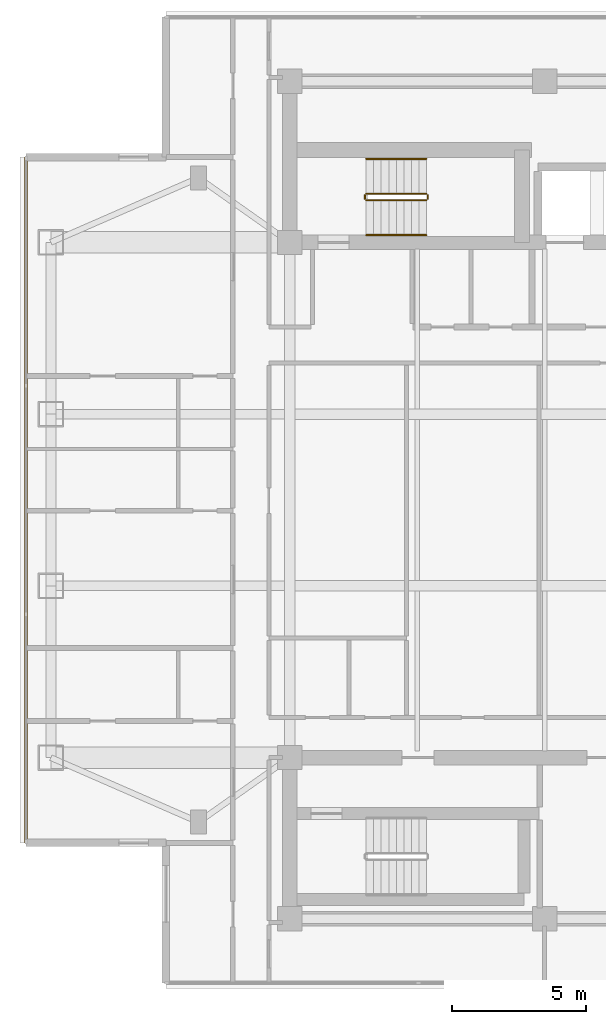
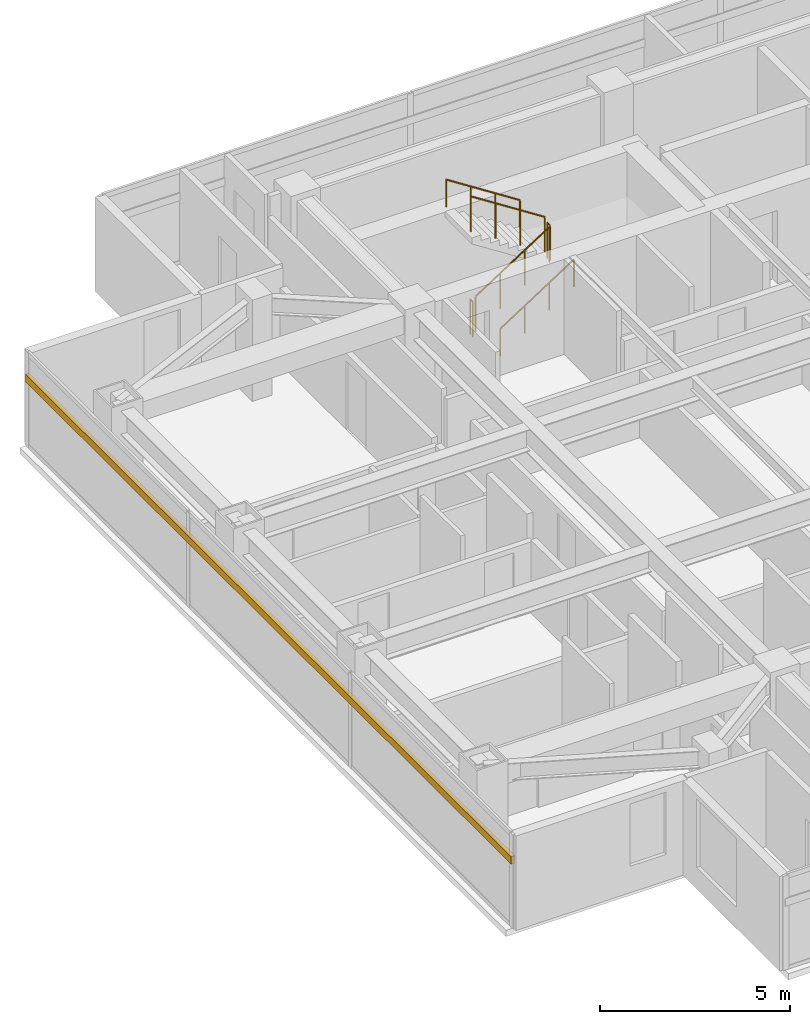
# One storey, part 20 of 23: 6 railings, 1 shading device.
"""IFC4 building model written with IfcOpenShell, lengths in metres."""

from ifc_helpers import new_model, si_unit, direction, frame, origin, origin_2d, place, context, subcontext, project, spatial, rectangle, circle, extrude, material, material_profile, profile_set, type_object, element, save


model = new_model("IFC4")

# Units and contexts
model_context = context("Model", 3, precision=1e-05, world=origin(), true_north=direction((0.0, 1.0)))
body_context = subcontext(model_context, "Body", "Model", "MODEL_VIEW")
ifc_project = project(units=[si_unit("LENGTHUNIT", "METRE"), si_unit("AREAUNIT", "SQUARE_METRE"), si_unit("VOLUMEUNIT", "CUBIC_METRE"), si_unit("PLANEANGLEUNIT", "RADIAN"), si_unit("MASSUNIT", "GRAM", prefix="KILO")], contexts=[model_context])

# Site, building, storey
site_placement = place(None, origin())
site = spatial("IfcSite", under=ifc_project, at=site_placement, CompositionType="ELEMENT")
building_placement = place(site_placement, origin())
building = spatial("IfcBuilding", under=site, at=building_placement, Name="Mirazonda Arch Towers", CompositionType="ELEMENT")
storey_placement = place(building_placement, frame((0.0, 0.0, 183.64990234375)))
storey = spatial("IfcBuildingStorey", under=building, at=storey_placement, Name="L52", CompositionType="ELEMENT", Elevation=183.64990234375)

# Shading device
ifc_material_1 = material(Name="Kiln-Fired Architectural Terracotta", Category="masonry")
ifc_material_profile = material_profile(ifc_material_1, rectangle(XDim=0.1201171875, YDim=0.239990234375, at=origin_2d()), Name="TERRA-BAG-120x240")
ifc_profile_set = profile_set([ifc_material_profile], Name="Kiln-Fired Architectural Terracotta")
shading_device_type = type_object("IfcShadingDeviceType", Name="BAGUETTE-1", PredefinedType="USERDEFINED", material=ifc_profile_set)
shading_device_placement = place(storey_placement, frame((1.169921875, 40.77490234375, 2.181640625), z_axis=(0.0, -1.0, 0.0), x_axis=(1.0, 0.0, 0.0)))
element("IfcShadingDevice", 1, at=shading_device_placement, inside=storey, type_object=shading_device_type, Name="L52 Glazed Terracotta Sun-Screen Baguette CW-L52-T1-W", ObjectType="BAGUETTE", PredefinedType="USERDEFINED", context=body_context, shape_type="SweptSolid", body=[
    extrude(rectangle(XDim=0.1201171875, YDim=0.239990234375, at=origin_2d()), origin(), (0.0, 0.0, 1.0), 25.5498046875),
])

# Railings
ifc_material_2 = material(Name="Architectural Brushed Steel S355", Category="steel")
railing_type_1 = type_object("IfcRailingType", Name="GUARD-STAIR-1120", PredefinedType="GUARDRAIL", material=ifc_material_2)
railing_1_placement = place(storey_placement, frame((13.85009765625, 39.169921875, 0.1806640625)))
element("IfcRailing", 2, at=railing_1_placement, inside=storey, type_object=railing_type_1, Name="L52 ST-T1N stair guard 1", PredefinedType="GUARDRAIL", context=body_context, shape_type="SweptSolid", body=[
    extrude(circle(Radius=0.02392578125, at=origin_2d()), frame((0.0, 0.0, 1.1259765625), z_axis=(0.840436612492, 0.0, 0.541909863706), x_axis=(0.0, 1.0, 0.0)), (0.0, 0.0, 1.0), 2.665283203125),
    extrude(circle(Radius=0.02099609375, at=origin_2d()), origin(), (0.0, 0.0, 1.0), 1.101806640625),
    extrude(circle(Radius=0.02099609375, at=origin_2d()), frame((0.74658203125, 0.0, 0.4814453125)), (0.0, 0.0, 1.0), 1.101806640625),
    extrude(circle(Radius=0.02099609375, at=origin_2d()), frame((1.493408203125, 0.0, 0.962890625)), (0.0, 0.0, 1.0), 1.101806640625),
    extrude(circle(Radius=0.02099609375, at=origin_2d()), frame((2.239990234375, 0.0, 1.4443359375)), (0.0, 0.0, 1.0), 1.101806640625),
])
railing_2_placement = place(storey_placement, frame((16.139892578125, 39.219970703125, 1.625)))
element("IfcRailing", 3, at=railing_2_placement, inside=storey, type_object=railing_type_1, Name="L52 ST-T1N stair guard 2", PredefinedType="GUARDRAIL", context=body_context, shape_type="SweptSolid", body=[
    extrude(circle(Radius=0.02392578125, at=origin_2d()), frame((0.0, 0.0, 1.1259765625), z_axis=(0.0, 1.0, 0.0), x_axis=(-1.0, 0.0, 0.0)), (0.0, 0.0, 1.0), 0.14013671875),
    extrude(circle(Radius=0.02099609375, at=origin_2d()), origin(), (0.0, 0.0, 1.0), 1.101806640625),
    extrude(circle(Radius=0.02099609375, at=origin_2d()), frame((0.0, 0.14013671875, 0.0)), (0.0, 0.0, 1.0), 1.101806640625),
])
railing_3_placement = place(storey_placement, frame((16.090087890625, 39.409912109375, 1.8056640625)))
element("IfcRailing", 4, at=railing_3_placement, inside=storey, type_object=railing_type_1, Name="L52 ST-T1N stair guard 3", PredefinedType="GUARDRAIL", context=body_context, shape_type="SweptSolid", body=[
    extrude(circle(Radius=0.02392578125, at=origin_2d()), frame((0.0, 0.0, 1.1259765625), z_axis=(-0.840436612492, 0.0, 0.541909863706), x_axis=(0.0, -1.0, 0.0)), (0.0, 0.0, 1.0), 2.665283203125),
    extrude(circle(Radius=0.02099609375, at=origin_2d()), origin(), (0.0, 0.0, 1.0), 1.101806640625),
    extrude(circle(Radius=0.02099609375, at=origin_2d()), frame((-0.74658203125, 0.0, 0.4814453125)), (0.0, 0.0, 1.0), 1.101806640625),
    extrude(circle(Radius=0.02099609375, at=origin_2d()), frame((-1.493408203125, 0.0, 0.962890625)), (0.0, 0.0, 1.0), 1.101806640625),
    extrude(circle(Radius=0.02099609375, at=origin_2d()), frame((-2.239990234375, 0.0, 1.4443359375)), (0.0, 0.0, 1.0), 1.101806640625),
])
railing_4_placement = place(storey_placement, frame((13.800048828125, 39.219970703125, 0.0)))
element("IfcRailing", 5, at=railing_4_placement, inside=storey, type_object=railing_type_1, Name="L52 ST-T1N stair guard 4", PredefinedType="GUARDRAIL", context=body_context, shape_type="SweptSolid", body=[
    extrude(circle(Radius=0.02392578125, at=origin_2d()), frame((0.0, 0.0, 1.1259765625), z_axis=(0.0, 1.0, 0.0), x_axis=(-1.0, 0.0, 0.0)), (0.0, 0.0, 1.0), 0.14013671875),
    extrude(circle(Radius=0.02099609375, at=origin_2d()), origin(), (0.0, 0.0, 1.0), 1.101806640625),
    extrude(circle(Radius=0.02099609375, at=origin_2d()), frame((0.0, 0.14013671875, 0.0)), (0.0, 0.0, 1.0), 1.101806640625),
])
railing_type_2 = type_object("IfcRailingType", Name="HANDRAIL-915", PredefinedType="HANDRAIL", material=ifc_material_2)
railing_5_placement = place(storey_placement, frame((13.85009765625, 37.8701171875, 0.1806640625)))
element("IfcRailing", 6, at=railing_5_placement, inside=storey, type_object=railing_type_2, Name="L52 ST-T1N stair handrail 1", PredefinedType="HANDRAIL", context=body_context, shape_type="SweptSolid", body=[
    extrude(circle(Radius=0.02392578125, at=origin_2d()), frame((0.0, 0.0, 0.8759765625), z_axis=(0.840436612492, 0.0, 0.541909863706), x_axis=(0.0, 1.0, 0.0)), (0.0, 0.0, 1.0), 2.665283203125),
    extrude(circle(Radius=0.02099609375, at=origin_2d()), origin(), (0.0, 0.0, 1.0), 0.851806640625),
    extrude(circle(Radius=0.02099609375, at=origin_2d()), frame((0.74658203125, 0.0, 0.4814453125)), (0.0, 0.0, 1.0), 0.851806640625),
    extrude(circle(Radius=0.02099609375, at=origin_2d()), frame((1.493408203125, 0.0, 0.962890625)), (0.0, 0.0, 1.0), 0.851806640625),
    extrude(circle(Radius=0.02099609375, at=origin_2d()), frame((2.239990234375, 0.0, 1.4443359375)), (0.0, 0.0, 1.0), 0.851806640625),
])
railing_6_placement = place(storey_placement, frame((16.090087890625, 40.7099609375, 1.8056640625)))
element("IfcRailing", 7, at=railing_6_placement, inside=storey, type_object=railing_type_2, Name="L52 ST-T1N stair handrail 2", PredefinedType="HANDRAIL", context=body_context, shape_type="SweptSolid", body=[
    extrude(circle(Radius=0.02392578125, at=origin_2d()), frame((0.0, 0.0, 0.8759765625), z_axis=(-0.840436612492, 0.0, 0.541909863706), x_axis=(0.0, -1.0, 0.0)), (0.0, 0.0, 1.0), 2.665283203125),
    extrude(circle(Radius=0.02099609375, at=origin_2d()), origin(), (0.0, 0.0, 1.0), 0.851806640625),
    extrude(circle(Radius=0.02099609375, at=origin_2d()), frame((-0.74658203125, 0.0, 0.4814453125)), (0.0, 0.0, 1.0), 0.851806640625),
    extrude(circle(Radius=0.02099609375, at=origin_2d()), frame((-1.493408203125, 0.0, 0.962890625)), (0.0, 0.0, 1.0), 0.851806640625),
    extrude(circle(Radius=0.02099609375, at=origin_2d()), frame((-2.239990234375, 0.0, 1.4443359375)), (0.0, 0.0, 1.0), 0.851806640625),
])

save(model, "model.ifc")
